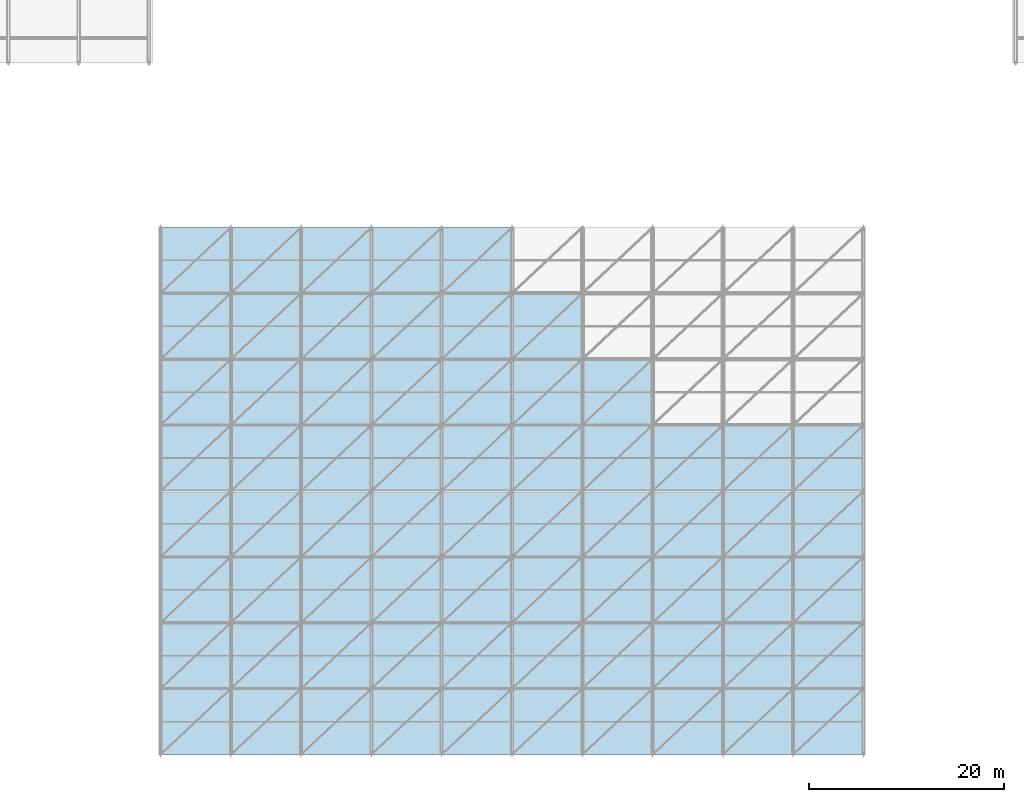
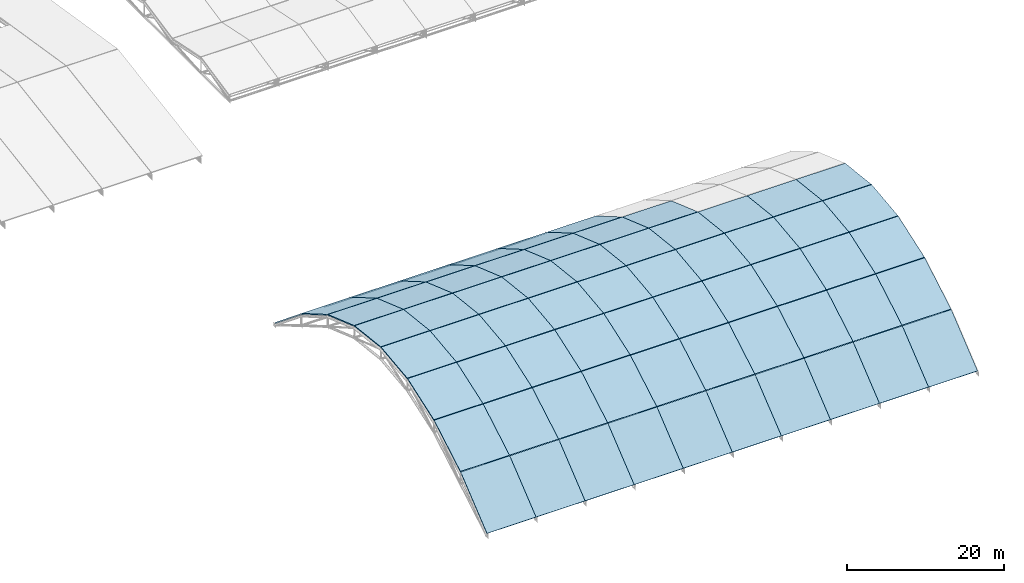
# One storey, part 57 of 72: 68 slabs.
"""IFC4 building model written with IfcOpenShell, lengths in metres."""

from ifc_helpers import new_model, si_unit, direction, frame, origin, place, context, subcontext, project, spatial, polyline, outline, extrude, material, layer, layer_set, type_object, element, save


model = new_model("IFC4")

# Units and contexts
model_context = context("Model", 3, precision=1e-05, world=origin(), true_north=direction((0.0, 1.0)))
body_context = subcontext(model_context, "Body", "Model", "MODEL_VIEW")
ifc_project = project(units=[si_unit("LENGTHUNIT", "METRE"), si_unit("AREAUNIT", "SQUARE_METRE"), si_unit("VOLUMEUNIT", "CUBIC_METRE"), si_unit("PLANEANGLEUNIT", "RADIAN"), si_unit("MASSUNIT", "GRAM", prefix="KILO")], contexts=[model_context])

# Site, building, storey
site_placement = place(None, origin())
site = spatial("IfcSite", under=ifc_project, at=site_placement, CompositionType="ELEMENT")
building_placement = place(site_placement, origin())
building = spatial("IfcBuilding", under=site, at=building_placement, Name="Vaelcorin Mobility Hub", CompositionType="ELEMENT")
storey_placement = place(building_placement, frame((0.0, 0.0, 25.800048828125)))
storey = spatial("IfcBuildingStorey", under=building, at=storey_placement, Name="RF", CompositionType="ELEMENT", Elevation=25.800048828125)

# Slabs
ifc_material = material(Name="Concrete f'c 35 MPa", Category="concrete")
ifc_layer = layer(ifc_material, 0.159912109375)
ifc_layer_set = layer_set([ifc_layer], Name="Concrete f'c 35 MPa")
slab_type = type_object("IfcSlabType", Name="SLAB-RF-V1", PredefinedType="ROOF", material=ifc_layer_set)
slab_1_placement = place(storey_placement, frame((36.0, 6.030029296875, -19.39599609375), z_axis=(0.0, -0.632563395587, 0.774508586501), x_axis=(1.0, 0.0, 0.0)))
element("IfcSlab", 1, at=slab_1_placement, inside=storey, type_object=slab_type, Name="Concourse Barrel Roof Facet 1-1", PredefinedType="ROOF", context=body_context, shape_type="SweptSolid", body=[
    extrude(outline(polyline([(0.0, 0.0), (7.199951171875, 0.0), (7.199951171875, 8.637659443489156), (0.0, 8.637659443489156), (0.0, 0.0)])), origin(), (0.0, 0.0, -1.0), 0.159912109375),
])
slab_2_placement = place(storey_placement, frame((36.0, 12.780029296875, -13.89013671875), z_axis=(0.0, -0.503835745222, 0.863799480109), x_axis=(1.0, 0.0, 0.0)))
element("IfcSlab", 2, at=slab_2_placement, inside=storey, type_object=slab_type, Name="Concourse Barrel Roof Facet 1-2", PredefinedType="ROOF", context=body_context, shape_type="SweptSolid", body=[
    extrude(outline(polyline([(0.0, 0.0), (7.199951171875, 0.0), (7.199951171875, 7.744785173298402), (0.0, 7.744785173298402), (0.0, 0.0)])), origin(), (0.0, 0.0, -1.0), 0.159912109375),
])
slab_3_placement = place(storey_placement, frame((36.0, 19.530029296875, -9.9599609375), z_axis=(0.0, -0.330390315453, 0.943844393666), x_axis=(1.0, 0.0, 0.0)))
element("IfcSlab", 3, at=slab_3_placement, inside=storey, type_object=slab_type, Name="Concourse Barrel Roof Facet 1-3", PredefinedType="ROOF", context=body_context, shape_type="SweptSolid", body=[
    extrude(outline(polyline([(0.0, 0.0), (7.199951171875, 0.0), (7.199951171875, 7.087970698501653), (0.0, 7.087970698501653), (0.0, 0.0)])), origin(), (0.0, 0.0, -1.0), 0.159912109375),
])
for number, where, z_axis, x_axis, name in (
    (4, (36.0, 26.280029296875, -7.60400390625), (0.0, -0.115812752684, 0.993271063867), (1.0, 0.0, 0.0), "Concourse Barrel Roof Facet 1-4"),
    (5, (36.0, 33.030029296875, -6.823974609375), (0.0, 0.115812752684, 0.993271063867), (1.0, 0.0, 0.0), "Concourse Barrel Roof Facet 1-5"),
):
    element("IfcSlab", number, at=place(storey_placement, frame(where, z_axis=z_axis, x_axis=x_axis)), inside=storey, type_object=slab_type, Name=name, PredefinedType="ROOF", context=body_context, shape_type="SweptSolid", body=[
        extrude(outline(polyline([(0.0, 0.0), (7.199951171875, 0.0), (7.199951171875, 6.7352625578400085), (0.0, 6.7352625578400085), (0.0, 0.0)])), origin(), (0.0, 0.0, -1.0), 0.159912109375),
    ])
slab_4_placement = place(storey_placement, frame((36.0, 39.780029296875, -7.6181640625), z_axis=(0.0, 0.330390315453, 0.943844393666), x_axis=(1.0, 0.0, 0.0)))
element("IfcSlab", 6, at=slab_4_placement, inside=storey, type_object=slab_type, Name="Concourse Barrel Roof Facet 1-6", PredefinedType="ROOF", context=body_context, shape_type="SweptSolid", body=[
    extrude(outline(polyline([(0.0, 0.0), (7.199951171875, 0.0), (7.199951171875, 7.087970698501653), (0.0, 7.087970698501653), (0.0, 0.0)])), origin(), (0.0, 0.0, -1.0), 0.159912109375),
])
slab_5_placement = place(storey_placement, frame((36.0, 46.530029296875, -9.988037109375), z_axis=(0.0, 0.503835745222, 0.863799480109), x_axis=(1.0, 0.0, 0.0)))
element("IfcSlab", 7, at=slab_5_placement, inside=storey, type_object=slab_type, Name="Concourse Barrel Roof Facet 1-7", PredefinedType="ROOF", context=body_context, shape_type="SweptSolid", body=[
    extrude(outline(polyline([(0.0, 0.0), (7.199951171875, 0.0), (7.199951171875, 7.744785173298402), (0.0, 7.744785173298402), (0.0, 0.0)])), origin(), (0.0, 0.0, -1.0), 0.159912109375),
])
for number, where, z_axis, x_axis, name in (
    (8, (36.0, 53.280029296875, -13.93212890625), (0.0, 0.632563395587, 0.774508586501), (1.0, 0.0, 0.0), "Concourse Barrel Roof Facet 1-8"),
    (9, (43.199951171875, 6.030029296875, -19.39599609375), (0.0, -0.632563395587, 0.774508586501), (1.0, 0.0, 0.0), "Concourse Barrel Roof Facet 2-1"),
):
    element("IfcSlab", number, at=place(storey_placement, frame(where, z_axis=z_axis, x_axis=x_axis)), inside=storey, type_object=slab_type, Name=name, PredefinedType="ROOF", context=body_context, shape_type="SweptSolid", body=[
        extrude(outline(polyline([(0.0, 0.0), (7.199951171875, 0.0), (7.199951171875, 8.637659443489156), (0.0, 8.637659443489156), (0.0, 0.0)])), origin(), (0.0, 0.0, -1.0), 0.159912109375),
    ])
slab_6_placement = place(storey_placement, frame((43.199951171875, 12.780029296875, -13.89013671875), z_axis=(0.0, -0.503835745222, 0.863799480109), x_axis=(1.0, 0.0, 0.0)))
element("IfcSlab", 10, at=slab_6_placement, inside=storey, type_object=slab_type, Name="Concourse Barrel Roof Facet 2-2", PredefinedType="ROOF", context=body_context, shape_type="SweptSolid", body=[
    extrude(outline(polyline([(0.0, 0.0), (7.199951171875, 0.0), (7.199951171875, 7.744785173298402), (0.0, 7.744785173298402), (0.0, 0.0)])), origin(), (0.0, 0.0, -1.0), 0.159912109375),
])
slab_7_placement = place(storey_placement, frame((43.199951171875, 19.530029296875, -9.9599609375), z_axis=(0.0, -0.330390315453, 0.943844393666), x_axis=(1.0, 0.0, 0.0)))
element("IfcSlab", 11, at=slab_7_placement, inside=storey, type_object=slab_type, Name="Concourse Barrel Roof Facet 2-3", PredefinedType="ROOF", context=body_context, shape_type="SweptSolid", body=[
    extrude(outline(polyline([(0.0, 0.0), (7.199951171875, 0.0), (7.199951171875, 7.087970698501653), (0.0, 7.087970698501653), (0.0, 0.0)])), origin(), (0.0, 0.0, -1.0), 0.159912109375),
])
for number, where, z_axis, x_axis, name in (
    (12, (43.199951171875, 26.280029296875, -7.60400390625), (0.0, -0.115812752684, 0.993271063867), (1.0, 0.0, 0.0), "Concourse Barrel Roof Facet 2-4"),
    (13, (43.199951171875, 33.030029296875, -6.823974609375), (0.0, 0.115812752684, 0.993271063867), (1.0, 0.0, 0.0), "Concourse Barrel Roof Facet 2-5"),
):
    element("IfcSlab", number, at=place(storey_placement, frame(where, z_axis=z_axis, x_axis=x_axis)), inside=storey, type_object=slab_type, Name=name, PredefinedType="ROOF", context=body_context, shape_type="SweptSolid", body=[
        extrude(outline(polyline([(0.0, 0.0), (7.199951171875, 0.0), (7.199951171875, 6.7352625578400085), (0.0, 6.7352625578400085), (0.0, 0.0)])), origin(), (0.0, 0.0, -1.0), 0.159912109375),
    ])
slab_8_placement = place(storey_placement, frame((43.199951171875, 39.780029296875, -7.6181640625), z_axis=(0.0, 0.330390315453, 0.943844393666), x_axis=(1.0, 0.0, 0.0)))
element("IfcSlab", 14, at=slab_8_placement, inside=storey, type_object=slab_type, Name="Concourse Barrel Roof Facet 2-6", PredefinedType="ROOF", context=body_context, shape_type="SweptSolid", body=[
    extrude(outline(polyline([(0.0, 0.0), (7.199951171875, 0.0), (7.199951171875, 7.087970698501653), (0.0, 7.087970698501653), (0.0, 0.0)])), origin(), (0.0, 0.0, -1.0), 0.159912109375),
])
slab_9_placement = place(storey_placement, frame((43.199951171875, 46.530029296875, -9.988037109375), z_axis=(0.0, 0.503835745222, 0.863799480109), x_axis=(1.0, 0.0, 0.0)))
element("IfcSlab", 15, at=slab_9_placement, inside=storey, type_object=slab_type, Name="Concourse Barrel Roof Facet 2-7", PredefinedType="ROOF", context=body_context, shape_type="SweptSolid", body=[
    extrude(outline(polyline([(0.0, 0.0), (7.199951171875, 0.0), (7.199951171875, 7.744785173298402), (0.0, 7.744785173298402), (0.0, 0.0)])), origin(), (0.0, 0.0, -1.0), 0.159912109375),
])
slab_10_placement = place(storey_placement, frame((43.199951171875, 53.280029296875, -13.93212890625), z_axis=(0.0, 0.632563395587, 0.774508586501), x_axis=(1.0, 0.0, 0.0)))
element("IfcSlab", 16, at=slab_10_placement, inside=storey, type_object=slab_type, Name="Concourse Barrel Roof Facet 2-8", PredefinedType="ROOF", context=body_context, shape_type="SweptSolid", body=[
    extrude(outline(polyline([(0.0, 0.0), (7.199951171875, 0.0), (7.199951171875, 8.637659443489156), (0.0, 8.637659443489156), (0.0, 0.0)])), origin(), (0.0, 0.0, -1.0), 0.159912109375),
])
slab_11_placement = place(storey_placement, frame((50.39990234375, 6.030029296875, -19.39599609375), z_axis=(0.0, -0.632563395587, 0.774508586501), x_axis=(1.0, 0.0, 0.0)))
element("IfcSlab", 17, at=slab_11_placement, inside=storey, type_object=slab_type, Name="Concourse Barrel Roof Facet 3-1", PredefinedType="ROOF", context=body_context, shape_type="SweptSolid", body=[
    extrude(outline(polyline([(0.0, 0.0), (7.2001953125, 0.0), (7.2001953125, 8.637659443489156), (0.0, 8.637659443489156), (0.0, 0.0)])), origin(), (0.0, 0.0, -1.0), 0.159912109375),
])
slab_12_placement = place(storey_placement, frame((50.39990234375, 12.780029296875, -13.89013671875), z_axis=(0.0, -0.503835745222, 0.863799480109), x_axis=(1.0, 0.0, 0.0)))
element("IfcSlab", 18, at=slab_12_placement, inside=storey, type_object=slab_type, Name="Concourse Barrel Roof Facet 3-2", PredefinedType="ROOF", context=body_context, shape_type="SweptSolid", body=[
    extrude(outline(polyline([(0.0, 0.0), (7.2001953125, 0.0), (7.2001953125, 7.744785173298402), (0.0, 7.744785173298402), (0.0, 0.0)])), origin(), (0.0, 0.0, -1.0), 0.159912109375),
])
slab_13_placement = place(storey_placement, frame((50.39990234375, 19.530029296875, -9.9599609375), z_axis=(0.0, -0.330390315453, 0.943844393666), x_axis=(1.0, 0.0, 0.0)))
element("IfcSlab", 19, at=slab_13_placement, inside=storey, type_object=slab_type, Name="Concourse Barrel Roof Facet 3-3", PredefinedType="ROOF", context=body_context, shape_type="SweptSolid", body=[
    extrude(outline(polyline([(0.0, 0.0), (7.2001953125, 0.0), (7.2001953125, 7.0879706985016515), (0.0, 7.0879706985016515), (0.0, 0.0)])), origin(), (0.0, 0.0, -1.0), 0.159912109375),
])
for number, where, z_axis, x_axis, name in (
    (20, (50.39990234375, 26.280029296875, -7.60400390625), (0.0, -0.115812752684, 0.993271063867), (1.0, 0.0, 0.0), "Concourse Barrel Roof Facet 3-4"),
    (21, (50.39990234375, 33.030029296875, -6.823974609375), (0.0, 0.115812752684, 0.993271063867), (1.0, 0.0, 0.0), "Concourse Barrel Roof Facet 3-5"),
):
    element("IfcSlab", number, at=place(storey_placement, frame(where, z_axis=z_axis, x_axis=x_axis)), inside=storey, type_object=slab_type, Name=name, PredefinedType="ROOF", context=body_context, shape_type="SweptSolid", body=[
        extrude(outline(polyline([(0.0, 0.0), (7.2001953125, 0.0), (7.2001953125, 6.735262557840009), (0.0, 6.735262557840009), (0.0, 0.0)])), origin(), (0.0, 0.0, -1.0), 0.159912109375),
    ])
slab_14_placement = place(storey_placement, frame((50.39990234375, 39.780029296875, -7.6181640625), z_axis=(0.0, 0.330390315453, 0.943844393666), x_axis=(1.0, 0.0, 0.0)))
element("IfcSlab", 22, at=slab_14_placement, inside=storey, type_object=slab_type, Name="Concourse Barrel Roof Facet 3-6", PredefinedType="ROOF", context=body_context, shape_type="SweptSolid", body=[
    extrude(outline(polyline([(0.0, 0.0), (7.2001953125, 0.0), (7.2001953125, 7.0879706985016515), (0.0, 7.0879706985016515), (0.0, 0.0)])), origin(), (0.0, 0.0, -1.0), 0.159912109375),
])
slab_15_placement = place(storey_placement, frame((50.39990234375, 46.530029296875, -9.988037109375), z_axis=(0.0, 0.503835745222, 0.863799480109), x_axis=(1.0, 0.0, 0.0)))
element("IfcSlab", 23, at=slab_15_placement, inside=storey, type_object=slab_type, Name="Concourse Barrel Roof Facet 3-7", PredefinedType="ROOF", context=body_context, shape_type="SweptSolid", body=[
    extrude(outline(polyline([(0.0, 0.0), (7.2001953125, 0.0), (7.2001953125, 7.744785173298402), (0.0, 7.744785173298402), (0.0, 0.0)])), origin(), (0.0, 0.0, -1.0), 0.159912109375),
])
slab_16_placement = place(storey_placement, frame((50.39990234375, 53.280029296875, -13.93212890625), z_axis=(0.0, 0.632563395587, 0.774508586501), x_axis=(1.0, 0.0, 0.0)))
element("IfcSlab", 24, at=slab_16_placement, inside=storey, type_object=slab_type, Name="Concourse Barrel Roof Facet 3-8", PredefinedType="ROOF", context=body_context, shape_type="SweptSolid", body=[
    extrude(outline(polyline([(0.0, 0.0), (7.2001953125, 0.0), (7.2001953125, 8.637659443489156), (0.0, 8.637659443489156), (0.0, 0.0)])), origin(), (0.0, 0.0, -1.0), 0.159912109375),
])
slab_17_placement = place(storey_placement, frame((57.60009765625, 6.030029296875, -19.39599609375), z_axis=(0.0, -0.632563395587, 0.774508586501), x_axis=(1.0, 0.0, 0.0)))
element("IfcSlab", 25, at=slab_17_placement, inside=storey, type_object=slab_type, Name="Concourse Barrel Roof Facet 4-1", PredefinedType="ROOF", context=body_context, shape_type="SweptSolid", body=[
    extrude(outline(polyline([(0.0, 0.0), (7.199951171875, 0.0), (7.199951171875, 8.637659443489156), (0.0, 8.637659443489156), (0.0, 0.0)])), origin(), (0.0, 0.0, -1.0), 0.159912109375),
])
slab_18_placement = place(storey_placement, frame((57.60009765625, 12.780029296875, -13.89013671875), z_axis=(0.0, -0.503835745222, 0.863799480109), x_axis=(1.0, 0.0, 0.0)))
element("IfcSlab", 26, at=slab_18_placement, inside=storey, type_object=slab_type, Name="Concourse Barrel Roof Facet 4-2", PredefinedType="ROOF", context=body_context, shape_type="SweptSolid", body=[
    extrude(outline(polyline([(0.0, 0.0), (7.199951171875, 0.0), (7.199951171875, 7.744785173298402), (0.0, 7.744785173298402), (0.0, 0.0)])), origin(), (0.0, 0.0, -1.0), 0.159912109375),
])
slab_19_placement = place(storey_placement, frame((57.60009765625, 19.530029296875, -9.9599609375), z_axis=(0.0, -0.330390315453, 0.943844393666), x_axis=(1.0, 0.0, 0.0)))
element("IfcSlab", 27, at=slab_19_placement, inside=storey, type_object=slab_type, Name="Concourse Barrel Roof Facet 4-3", PredefinedType="ROOF", context=body_context, shape_type="SweptSolid", body=[
    extrude(outline(polyline([(0.0, 0.0), (7.199951171875, 0.0), (7.199951171875, 7.087970698501653), (0.0, 7.087970698501653), (0.0, 0.0)])), origin(), (0.0, 0.0, -1.0), 0.159912109375),
])
for number, where, z_axis, x_axis, name in (
    (28, (57.60009765625, 26.280029296875, -7.60400390625), (0.0, -0.115812752684, 0.993271063867), (1.0, 0.0, 0.0), "Concourse Barrel Roof Facet 4-4"),
    (29, (57.60009765625, 33.030029296875, -6.823974609375), (0.0, 0.115812752684, 0.993271063867), (1.0, 0.0, 0.0), "Concourse Barrel Roof Facet 4-5"),
):
    element("IfcSlab", number, at=place(storey_placement, frame(where, z_axis=z_axis, x_axis=x_axis)), inside=storey, type_object=slab_type, Name=name, PredefinedType="ROOF", context=body_context, shape_type="SweptSolid", body=[
        extrude(outline(polyline([(0.0, 0.0), (7.199951171875, 0.0), (7.199951171875, 6.7352625578400085), (0.0, 6.7352625578400085), (0.0, 0.0)])), origin(), (0.0, 0.0, -1.0), 0.159912109375),
    ])
slab_20_placement = place(storey_placement, frame((57.60009765625, 39.780029296875, -7.6181640625), z_axis=(0.0, 0.330390315453, 0.943844393666), x_axis=(1.0, 0.0, 0.0)))
element("IfcSlab", 30, at=slab_20_placement, inside=storey, type_object=slab_type, Name="Concourse Barrel Roof Facet 4-6", PredefinedType="ROOF", context=body_context, shape_type="SweptSolid", body=[
    extrude(outline(polyline([(0.0, 0.0), (7.199951171875, 0.0), (7.199951171875, 7.087970698501653), (0.0, 7.087970698501653), (0.0, 0.0)])), origin(), (0.0, 0.0, -1.0), 0.159912109375),
])
slab_21_placement = place(storey_placement, frame((57.60009765625, 46.530029296875, -9.988037109375), z_axis=(0.0, 0.503835745222, 0.863799480109), x_axis=(1.0, 0.0, 0.0)))
element("IfcSlab", 31, at=slab_21_placement, inside=storey, type_object=slab_type, Name="Concourse Barrel Roof Facet 4-7", PredefinedType="ROOF", context=body_context, shape_type="SweptSolid", body=[
    extrude(outline(polyline([(0.0, 0.0), (7.199951171875, 0.0), (7.199951171875, 7.744785173298402), (0.0, 7.744785173298402), (0.0, 0.0)])), origin(), (0.0, 0.0, -1.0), 0.159912109375),
])
for number, where, z_axis, x_axis, name in (
    (32, (57.60009765625, 53.280029296875, -13.93212890625), (0.0, 0.632563395587, 0.774508586501), (1.0, 0.0, 0.0), "Concourse Barrel Roof Facet 4-8"),
    (33, (64.800048828125, 6.030029296875, -19.39599609375), (0.0, -0.632563395587, 0.774508586501), (1.0, 0.0, 0.0), "Concourse Barrel Roof Facet 5-1"),
):
    element("IfcSlab", number, at=place(storey_placement, frame(where, z_axis=z_axis, x_axis=x_axis)), inside=storey, type_object=slab_type, Name=name, PredefinedType="ROOF", context=body_context, shape_type="SweptSolid", body=[
        extrude(outline(polyline([(0.0, 0.0), (7.199951171875, 0.0), (7.199951171875, 8.637659443489156), (0.0, 8.637659443489156), (0.0, 0.0)])), origin(), (0.0, 0.0, -1.0), 0.159912109375),
    ])
slab_22_placement = place(storey_placement, frame((64.800048828125, 12.780029296875, -13.89013671875), z_axis=(0.0, -0.503835745222, 0.863799480109), x_axis=(1.0, 0.0, 0.0)))
element("IfcSlab", 34, at=slab_22_placement, inside=storey, type_object=slab_type, Name="Concourse Barrel Roof Facet 5-2", PredefinedType="ROOF", context=body_context, shape_type="SweptSolid", body=[
    extrude(outline(polyline([(0.0, 0.0), (7.199951171875, 0.0), (7.199951171875, 7.744785173298402), (0.0, 7.744785173298402), (0.0, 0.0)])), origin(), (0.0, 0.0, -1.0), 0.159912109375),
])
slab_23_placement = place(storey_placement, frame((64.800048828125, 19.530029296875, -9.9599609375), z_axis=(0.0, -0.330390315453, 0.943844393666), x_axis=(1.0, 0.0, 0.0)))
element("IfcSlab", 35, at=slab_23_placement, inside=storey, type_object=slab_type, Name="Concourse Barrel Roof Facet 5-3", PredefinedType="ROOF", context=body_context, shape_type="SweptSolid", body=[
    extrude(outline(polyline([(0.0, 0.0), (7.199951171875, 0.0), (7.199951171875, 7.087970698501653), (0.0, 7.087970698501653), (0.0, 0.0)])), origin(), (0.0, 0.0, -1.0), 0.159912109375),
])
for number, where, z_axis, x_axis, name in (
    (36, (64.800048828125, 26.280029296875, -7.60400390625), (0.0, -0.115812752684, 0.993271063867), (1.0, 0.0, 0.0), "Concourse Barrel Roof Facet 5-4"),
    (37, (64.800048828125, 33.030029296875, -6.823974609375), (0.0, 0.115812752684, 0.993271063867), (1.0, 0.0, 0.0), "Concourse Barrel Roof Facet 5-5"),
):
    element("IfcSlab", number, at=place(storey_placement, frame(where, z_axis=z_axis, x_axis=x_axis)), inside=storey, type_object=slab_type, Name=name, PredefinedType="ROOF", context=body_context, shape_type="SweptSolid", body=[
        extrude(outline(polyline([(0.0, 0.0), (7.199951171875, 0.0), (7.199951171875, 6.7352625578400085), (0.0, 6.7352625578400085), (0.0, 0.0)])), origin(), (0.0, 0.0, -1.0), 0.159912109375),
    ])
slab_24_placement = place(storey_placement, frame((64.800048828125, 39.780029296875, -7.6181640625), z_axis=(0.0, 0.330390315453, 0.943844393666), x_axis=(1.0, 0.0, 0.0)))
element("IfcSlab", 38, at=slab_24_placement, inside=storey, type_object=slab_type, Name="Concourse Barrel Roof Facet 5-6", PredefinedType="ROOF", context=body_context, shape_type="SweptSolid", body=[
    extrude(outline(polyline([(0.0, 0.0), (7.199951171875, 0.0), (7.199951171875, 7.087970698501653), (0.0, 7.087970698501653), (0.0, 0.0)])), origin(), (0.0, 0.0, -1.0), 0.159912109375),
])
slab_25_placement = place(storey_placement, frame((64.800048828125, 46.530029296875, -9.988037109375), z_axis=(0.0, 0.503835745222, 0.863799480109), x_axis=(1.0, 0.0, 0.0)))
element("IfcSlab", 39, at=slab_25_placement, inside=storey, type_object=slab_type, Name="Concourse Barrel Roof Facet 5-7", PredefinedType="ROOF", context=body_context, shape_type="SweptSolid", body=[
    extrude(outline(polyline([(0.0, 0.0), (7.199951171875, 0.0), (7.199951171875, 7.744785173298402), (0.0, 7.744785173298402), (0.0, 0.0)])), origin(), (0.0, 0.0, -1.0), 0.159912109375),
])
for number, where, z_axis, x_axis, name in (
    (40, (64.800048828125, 53.280029296875, -13.93212890625), (0.0, 0.632563395587, 0.774508586501), (1.0, 0.0, 0.0), "Concourse Barrel Roof Facet 5-8"),
    (41, (72.0, 6.030029296875, -19.39599609375), (0.0, -0.632563395587, 0.774508586501), (1.0, 0.0, 0.0), "Concourse Barrel Roof Facet 6-1"),
):
    element("IfcSlab", number, at=place(storey_placement, frame(where, z_axis=z_axis, x_axis=x_axis)), inside=storey, type_object=slab_type, Name=name, PredefinedType="ROOF", context=body_context, shape_type="SweptSolid", body=[
        extrude(outline(polyline([(0.0, 0.0), (7.199951171875, 0.0), (7.199951171875, 8.637659443489156), (0.0, 8.637659443489156), (0.0, 0.0)])), origin(), (0.0, 0.0, -1.0), 0.159912109375),
    ])
slab_26_placement = place(storey_placement, frame((72.0, 12.780029296875, -13.89013671875), z_axis=(0.0, -0.503835745222, 0.863799480109), x_axis=(1.0, 0.0, 0.0)))
element("IfcSlab", 42, at=slab_26_placement, inside=storey, type_object=slab_type, Name="Concourse Barrel Roof Facet 6-2", PredefinedType="ROOF", context=body_context, shape_type="SweptSolid", body=[
    extrude(outline(polyline([(0.0, 0.0), (7.199951171875, 0.0), (7.199951171875, 7.744785173298402), (0.0, 7.744785173298402), (0.0, 0.0)])), origin(), (0.0, 0.0, -1.0), 0.159912109375),
])
slab_27_placement = place(storey_placement, frame((72.0, 19.530029296875, -9.9599609375), z_axis=(0.0, -0.330390315453, 0.943844393666), x_axis=(1.0, 0.0, 0.0)))
element("IfcSlab", 43, at=slab_27_placement, inside=storey, type_object=slab_type, Name="Concourse Barrel Roof Facet 6-3", PredefinedType="ROOF", context=body_context, shape_type="SweptSolid", body=[
    extrude(outline(polyline([(0.0, 0.0), (7.199951171875, 0.0), (7.199951171875, 7.087970698501653), (0.0, 7.087970698501653), (0.0, 0.0)])), origin(), (0.0, 0.0, -1.0), 0.159912109375),
])
for number, where, z_axis, x_axis, name in (
    (44, (72.0, 26.280029296875, -7.60400390625), (0.0, -0.115812752684, 0.993271063867), (1.0, 0.0, 0.0), "Concourse Barrel Roof Facet 6-4"),
    (45, (72.0, 33.030029296875, -6.823974609375), (0.0, 0.115812752684, 0.993271063867), (1.0, 0.0, 0.0), "Concourse Barrel Roof Facet 6-5"),
):
    element("IfcSlab", number, at=place(storey_placement, frame(where, z_axis=z_axis, x_axis=x_axis)), inside=storey, type_object=slab_type, Name=name, PredefinedType="ROOF", context=body_context, shape_type="SweptSolid", body=[
        extrude(outline(polyline([(0.0, 0.0), (7.199951171875, 0.0), (7.199951171875, 6.7352625578400085), (0.0, 6.7352625578400085), (0.0, 0.0)])), origin(), (0.0, 0.0, -1.0), 0.159912109375),
    ])
slab_28_placement = place(storey_placement, frame((72.0, 39.780029296875, -7.6181640625), z_axis=(0.0, 0.330390315453, 0.943844393666), x_axis=(1.0, 0.0, 0.0)))
element("IfcSlab", 46, at=slab_28_placement, inside=storey, type_object=slab_type, Name="Concourse Barrel Roof Facet 6-6", PredefinedType="ROOF", context=body_context, shape_type="SweptSolid", body=[
    extrude(outline(polyline([(0.0, 0.0), (7.199951171875, 0.0), (7.199951171875, 7.087970698501653), (0.0, 7.087970698501653), (0.0, 0.0)])), origin(), (0.0, 0.0, -1.0), 0.159912109375),
])
slab_29_placement = place(storey_placement, frame((72.0, 46.530029296875, -9.988037109375), z_axis=(0.0, 0.503835745222, 0.863799480109), x_axis=(1.0, 0.0, 0.0)))
element("IfcSlab", 47, at=slab_29_placement, inside=storey, type_object=slab_type, Name="Concourse Barrel Roof Facet 6-7", PredefinedType="ROOF", context=body_context, shape_type="SweptSolid", body=[
    extrude(outline(polyline([(0.0, 0.0), (7.199951171875, 0.0), (7.199951171875, 7.744785173298402), (0.0, 7.744785173298402), (0.0, 0.0)])), origin(), (0.0, 0.0, -1.0), 0.159912109375),
])
slab_30_placement = place(storey_placement, frame((79.199951171875, 6.030029296875, -19.39599609375), z_axis=(0.0, -0.632563395587, 0.774508586501), x_axis=(1.0, 0.0, 0.0)))
element("IfcSlab", 48, at=slab_30_placement, inside=storey, type_object=slab_type, Name="Concourse Barrel Roof Facet 7-1", PredefinedType="ROOF", context=body_context, shape_type="SweptSolid", body=[
    extrude(outline(polyline([(0.0, 0.0), (7.199951171875, 0.0), (7.199951171875, 8.637659443489156), (0.0, 8.637659443489156), (0.0, 0.0)])), origin(), (0.0, 0.0, -1.0), 0.159912109375),
])
slab_31_placement = place(storey_placement, frame((79.199951171875, 12.780029296875, -13.89013671875), z_axis=(0.0, -0.503835745222, 0.863799480109), x_axis=(1.0, 0.0, 0.0)))
element("IfcSlab", 49, at=slab_31_placement, inside=storey, type_object=slab_type, Name="Concourse Barrel Roof Facet 7-2", PredefinedType="ROOF", context=body_context, shape_type="SweptSolid", body=[
    extrude(outline(polyline([(0.0, 0.0), (7.199951171875, 0.0), (7.199951171875, 7.744785173298402), (0.0, 7.744785173298402), (0.0, 0.0)])), origin(), (0.0, 0.0, -1.0), 0.159912109375),
])
slab_32_placement = place(storey_placement, frame((79.199951171875, 19.530029296875, -9.9599609375), z_axis=(0.0, -0.330390315453, 0.943844393666), x_axis=(1.0, 0.0, 0.0)))
element("IfcSlab", 50, at=slab_32_placement, inside=storey, type_object=slab_type, Name="Concourse Barrel Roof Facet 7-3", PredefinedType="ROOF", context=body_context, shape_type="SweptSolid", body=[
    extrude(outline(polyline([(0.0, 0.0), (7.199951171875, 0.0), (7.199951171875, 7.087970698501653), (0.0, 7.087970698501653), (0.0, 0.0)])), origin(), (0.0, 0.0, -1.0), 0.159912109375),
])
for number, where, z_axis, x_axis, name in (
    (51, (79.199951171875, 26.280029296875, -7.60400390625), (0.0, -0.115812752684, 0.993271063867), (1.0, 0.0, 0.0), "Concourse Barrel Roof Facet 7-4"),
    (52, (79.199951171875, 33.030029296875, -6.823974609375), (0.0, 0.115812752684, 0.993271063867), (1.0, 0.0, 0.0), "Concourse Barrel Roof Facet 7-5"),
):
    element("IfcSlab", number, at=place(storey_placement, frame(where, z_axis=z_axis, x_axis=x_axis)), inside=storey, type_object=slab_type, Name=name, PredefinedType="ROOF", context=body_context, shape_type="SweptSolid", body=[
        extrude(outline(polyline([(0.0, 0.0), (7.199951171875, 0.0), (7.199951171875, 6.7352625578400085), (0.0, 6.7352625578400085), (0.0, 0.0)])), origin(), (0.0, 0.0, -1.0), 0.159912109375),
    ])
slab_33_placement = place(storey_placement, frame((79.199951171875, 39.780029296875, -7.6181640625), z_axis=(0.0, 0.330390315453, 0.943844393666), x_axis=(1.0, 0.0, 0.0)))
element("IfcSlab", 53, at=slab_33_placement, inside=storey, type_object=slab_type, Name="Concourse Barrel Roof Facet 7-6", PredefinedType="ROOF", context=body_context, shape_type="SweptSolid", body=[
    extrude(outline(polyline([(0.0, 0.0), (7.199951171875, 0.0), (7.199951171875, 7.087970698501653), (0.0, 7.087970698501653), (0.0, 0.0)])), origin(), (0.0, 0.0, -1.0), 0.159912109375),
])
slab_34_placement = place(storey_placement, frame((86.39990234375, 6.030029296875, -19.39599609375), z_axis=(0.0, -0.632563395587, 0.774508586501), x_axis=(1.0, 0.0, 0.0)))
element("IfcSlab", 54, at=slab_34_placement, inside=storey, type_object=slab_type, Name="Concourse Barrel Roof Facet 8-1", PredefinedType="ROOF", context=body_context, shape_type="SweptSolid", body=[
    extrude(outline(polyline([(0.0, 0.0), (7.2001953125, 0.0), (7.2001953125, 8.637659443489156), (0.0, 8.637659443489156), (0.0, 0.0)])), origin(), (0.0, 0.0, -1.0), 0.159912109375),
])
slab_35_placement = place(storey_placement, frame((86.39990234375, 12.780029296875, -13.89013671875), z_axis=(0.0, -0.503835745222, 0.863799480109), x_axis=(1.0, 0.0, 0.0)))
element("IfcSlab", 55, at=slab_35_placement, inside=storey, type_object=slab_type, Name="Concourse Barrel Roof Facet 8-2", PredefinedType="ROOF", context=body_context, shape_type="SweptSolid", body=[
    extrude(outline(polyline([(0.0, 0.0), (7.2001953125, 0.0), (7.2001953125, 7.744785173298402), (0.0, 7.744785173298402), (0.0, 0.0)])), origin(), (0.0, 0.0, -1.0), 0.159912109375),
])
slab_36_placement = place(storey_placement, frame((86.39990234375, 19.530029296875, -9.9599609375), z_axis=(0.0, -0.330390315453, 0.943844393666), x_axis=(1.0, 0.0, 0.0)))
element("IfcSlab", 56, at=slab_36_placement, inside=storey, type_object=slab_type, Name="Concourse Barrel Roof Facet 8-3", PredefinedType="ROOF", context=body_context, shape_type="SweptSolid", body=[
    extrude(outline(polyline([(0.0, 0.0), (7.2001953125, 0.0), (7.2001953125, 7.0879706985016515), (0.0, 7.0879706985016515), (0.0, 0.0)])), origin(), (0.0, 0.0, -1.0), 0.159912109375),
])
for number, where, z_axis, x_axis, name in (
    (57, (86.39990234375, 26.280029296875, -7.60400390625), (0.0, -0.115812752684, 0.993271063867), (1.0, 0.0, 0.0), "Concourse Barrel Roof Facet 8-4"),
    (58, (86.39990234375, 33.030029296875, -6.823974609375), (0.0, 0.115812752684, 0.993271063867), (1.0, 0.0, 0.0), "Concourse Barrel Roof Facet 8-5"),
):
    element("IfcSlab", number, at=place(storey_placement, frame(where, z_axis=z_axis, x_axis=x_axis)), inside=storey, type_object=slab_type, Name=name, PredefinedType="ROOF", context=body_context, shape_type="SweptSolid", body=[
        extrude(outline(polyline([(0.0, 0.0), (7.2001953125, 0.0), (7.2001953125, 6.735262557840009), (0.0, 6.735262557840009), (0.0, 0.0)])), origin(), (0.0, 0.0, -1.0), 0.159912109375),
    ])
slab_37_placement = place(storey_placement, frame((93.60009765625, 6.030029296875, -19.39599609375), z_axis=(0.0, -0.632563395587, 0.774508586501), x_axis=(1.0, 0.0, 0.0)))
element("IfcSlab", 59, at=slab_37_placement, inside=storey, type_object=slab_type, Name="Concourse Barrel Roof Facet 9-1", PredefinedType="ROOF", context=body_context, shape_type="SweptSolid", body=[
    extrude(outline(polyline([(0.0, 0.0), (7.199951171875, 0.0), (7.199951171875, 8.637659443489156), (0.0, 8.637659443489156), (0.0, 0.0)])), origin(), (0.0, 0.0, -1.0), 0.159912109375),
])
slab_38_placement = place(storey_placement, frame((93.60009765625, 12.780029296875, -13.89013671875), z_axis=(0.0, -0.503835745222, 0.863799480109), x_axis=(1.0, 0.0, 0.0)))
element("IfcSlab", 60, at=slab_38_placement, inside=storey, type_object=slab_type, Name="Concourse Barrel Roof Facet 9-2", PredefinedType="ROOF", context=body_context, shape_type="SweptSolid", body=[
    extrude(outline(polyline([(0.0, 0.0), (7.199951171875, 0.0), (7.199951171875, 7.744785173298402), (0.0, 7.744785173298402), (0.0, 0.0)])), origin(), (0.0, 0.0, -1.0), 0.159912109375),
])
slab_39_placement = place(storey_placement, frame((93.60009765625, 19.530029296875, -9.9599609375), z_axis=(0.0, -0.330390315453, 0.943844393666), x_axis=(1.0, 0.0, 0.0)))
element("IfcSlab", 61, at=slab_39_placement, inside=storey, type_object=slab_type, Name="Concourse Barrel Roof Facet 9-3", PredefinedType="ROOF", context=body_context, shape_type="SweptSolid", body=[
    extrude(outline(polyline([(0.0, 0.0), (7.199951171875, 0.0), (7.199951171875, 7.087970698501653), (0.0, 7.087970698501653), (0.0, 0.0)])), origin(), (0.0, 0.0, -1.0), 0.159912109375),
])
for number, where, z_axis, x_axis, name in (
    (62, (93.60009765625, 26.280029296875, -7.60400390625), (0.0, -0.115812752684, 0.993271063867), (1.0, 0.0, 0.0), "Concourse Barrel Roof Facet 9-4"),
    (63, (93.60009765625, 33.030029296875, -6.823974609375), (0.0, 0.115812752684, 0.993271063867), (1.0, 0.0, 0.0), "Concourse Barrel Roof Facet 9-5"),
):
    element("IfcSlab", number, at=place(storey_placement, frame(where, z_axis=z_axis, x_axis=x_axis)), inside=storey, type_object=slab_type, Name=name, PredefinedType="ROOF", context=body_context, shape_type="SweptSolid", body=[
        extrude(outline(polyline([(0.0, 0.0), (7.199951171875, 0.0), (7.199951171875, 6.7352625578400085), (0.0, 6.7352625578400085), (0.0, 0.0)])), origin(), (0.0, 0.0, -1.0), 0.159912109375),
    ])
slab_40_placement = place(storey_placement, frame((100.800048828125, 6.030029296875, -19.39599609375), z_axis=(0.0, -0.632563395587, 0.774508586501), x_axis=(1.0, 0.0, 0.0)))
element("IfcSlab", 64, at=slab_40_placement, inside=storey, type_object=slab_type, Name="Concourse Barrel Roof Facet 10-1", PredefinedType="ROOF", context=body_context, shape_type="SweptSolid", body=[
    extrude(outline(polyline([(0.0, 0.0), (7.199951171875, 0.0), (7.199951171875, 8.637659443489156), (0.0, 8.637659443489156), (0.0, 0.0)])), origin(), (0.0, 0.0, -1.0), 0.159912109375),
])
slab_41_placement = place(storey_placement, frame((100.800048828125, 12.780029296875, -13.89013671875), z_axis=(0.0, -0.503835745222, 0.863799480109), x_axis=(1.0, 0.0, 0.0)))
element("IfcSlab", 65, at=slab_41_placement, inside=storey, type_object=slab_type, Name="Concourse Barrel Roof Facet 10-2", PredefinedType="ROOF", context=body_context, shape_type="SweptSolid", body=[
    extrude(outline(polyline([(0.0, 0.0), (7.199951171875, 0.0), (7.199951171875, 7.744785173298402), (0.0, 7.744785173298402), (0.0, 0.0)])), origin(), (0.0, 0.0, -1.0), 0.159912109375),
])
slab_42_placement = place(storey_placement, frame((100.800048828125, 19.530029296875, -9.9599609375), z_axis=(0.0, -0.330390315453, 0.943844393666), x_axis=(1.0, 0.0, 0.0)))
element("IfcSlab", 66, at=slab_42_placement, inside=storey, type_object=slab_type, Name="Concourse Barrel Roof Facet 10-3", PredefinedType="ROOF", context=body_context, shape_type="SweptSolid", body=[
    extrude(outline(polyline([(0.0, 0.0), (7.199951171875, 0.0), (7.199951171875, 7.087970698501653), (0.0, 7.087970698501653), (0.0, 0.0)])), origin(), (0.0, 0.0, -1.0), 0.159912109375),
])
for number, where, z_axis, x_axis, name in (
    (67, (100.800048828125, 26.280029296875, -7.60400390625), (0.0, -0.115812752684, 0.993271063867), (1.0, 0.0, 0.0), "Concourse Barrel Roof Facet 10-4"),
    (68, (100.800048828125, 33.030029296875, -6.823974609375), (0.0, 0.115812752684, 0.993271063867), (1.0, 0.0, 0.0), "Concourse Barrel Roof Facet 10-5"),
):
    element("IfcSlab", number, at=place(storey_placement, frame(where, z_axis=z_axis, x_axis=x_axis)), inside=storey, type_object=slab_type, Name=name, PredefinedType="ROOF", context=body_context, shape_type="SweptSolid", body=[
        extrude(outline(polyline([(0.0, 0.0), (7.199951171875, 0.0), (7.199951171875, 6.7352625578400085), (0.0, 6.7352625578400085), (0.0, 0.0)])), origin(), (0.0, 0.0, -1.0), 0.159912109375),
    ])

save(model, "model.ifc")
